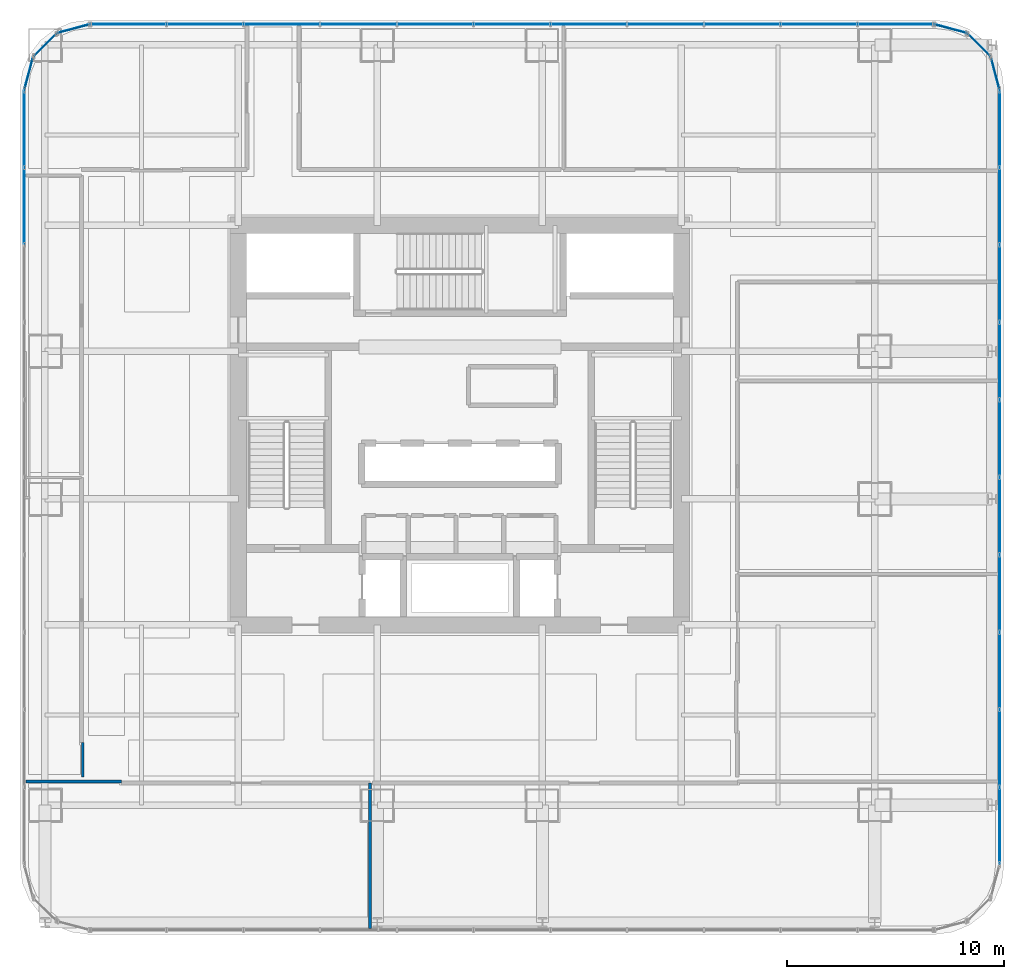
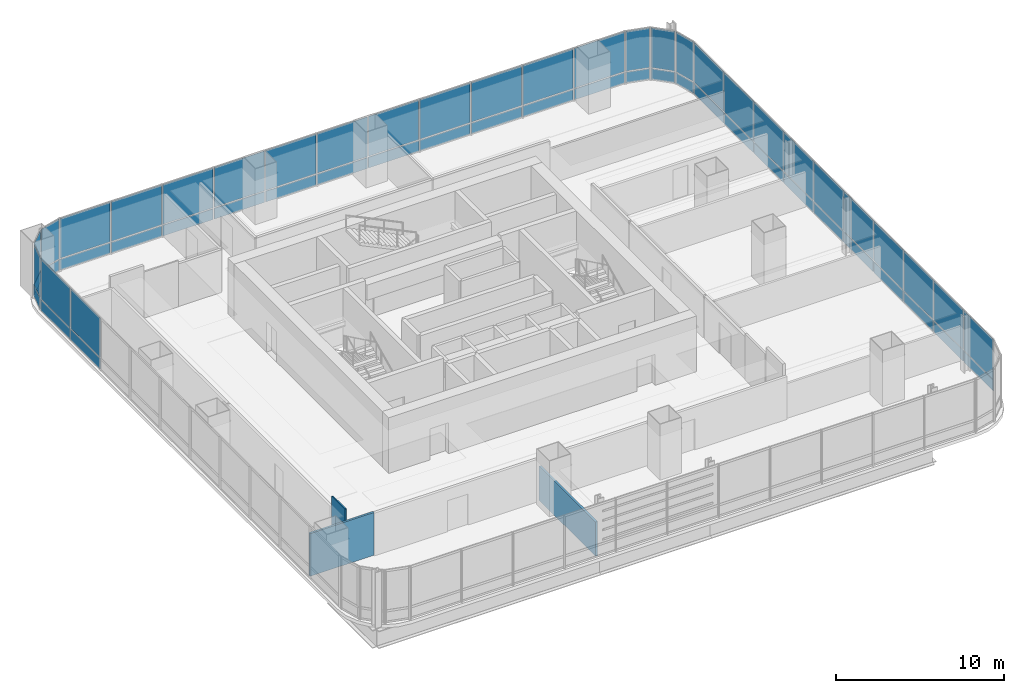
# One storey, part 26 of 35: 58 plates, 3 walls, 9 elements without a shape of their own.
"""IFC4 building model written with IfcOpenShell, lengths in metres."""

from ifc_helpers import new_model, si_unit, direction, frame, frame_2d, origin, origin_2d, place, context, subcontext, project, spatial, rectangle, extrude, material, layer, layer_set, type_object, element, aggregate, save


model = new_model("IFC4")

# Units and contexts
model_context = context("Model", 3, precision=1e-05, world=origin(), true_north=direction((0.0, 1.0)))
body_context = subcontext(model_context, "Body", "Model", "MODEL_VIEW")
ifc_project = project(units=[si_unit("LENGTHUNIT", "METRE"), si_unit("AREAUNIT", "SQUARE_METRE"), si_unit("VOLUMEUNIT", "CUBIC_METRE"), si_unit("PLANEANGLEUNIT", "RADIAN"), si_unit("MASSUNIT", "GRAM", prefix="KILO")], contexts=[model_context])

# Site, building, storey
site_placement = place(None, origin())
site = spatial("IfcSite", under=ifc_project, at=site_placement, CompositionType="ELEMENT")
building_placement = place(site_placement, origin())
building = spatial("IfcBuilding", under=site, at=building_placement, Name="Punatoya Terracotta Tower", CompositionType="ELEMENT")
storey_placement = place(building_placement, frame((0.0, 0.0, 68.699951171875)))
storey = spatial("IfcBuildingStorey", under=building, at=storey_placement, Name="L15", CompositionType="ELEMENT", Elevation=68.699951171875)

# Curtain wall, plates
ifc_material_1 = material(Name="Aluminium 6063-T6 + Double Low-E Glass", Category="aluminium")
curtain_wall_type = type_object("IfcCurtainWallType", Name="CW-M1", PredefinedType="NOTDEFINED", material=ifc_material_1)
curtain_wall_1_placement = place(storey_placement, origin())
curtain_wall_1 = element("IfcCurtainWall", 1, at=curtain_wall_1_placement, inside=storey, type_object=curtain_wall_type, Name="L15 Curtain Wall CW-L15-E05-1", PredefinedType="NOTDEFINED")
ifc_material_2 = material(Name="Double Low-E Clear Vision Glass", Category="glass")
ifc_layer_1 = layer(ifc_material_2, 0.028076171875)
ifc_layer_set_1 = layer_set([ifc_layer_1], Name="Double Low-E Clear Vision Glass")
plate_type_1 = type_object("IfcPlateType", Name="PLT-GLZ-28", PredefinedType="CURTAIN_PANEL", material=ifc_layer_set_1)
plate_1_placement = place(storey_placement, frame((24.85009765625, -18.453125, 0.89013671875), z_axis=(0.0, 0.0, 1.0), x_axis=(0.0, 1.0, 0.0)))
plate_1 = element("IfcPlate", 2, at=plate_1_placement, type_object=plate_type_1, Name="CW-L15-E05-1 Vision Glass Panel 1", PredefinedType="CURTAIN_PANEL", context=body_context, shape_type="SweptSolid", body=[
    extrude(rectangle(XDim=3.482421875, YDim=0.028076171875, at=origin_2d()), origin(), (0.0, 0.0, 1.0), 2.8798828125),
])
plate_2_placement = place(storey_placement, frame((24.85009765625, -14.8857421875, 0.89013671875), z_axis=(0.0, 0.0, 1.0), x_axis=(0.0, 1.0, 0.0)))
plate_2 = element("IfcPlate", 3, at=plate_2_placement, type_object=plate_type_1, Name="CW-L15-E05-1 Vision Glass Panel 2", PredefinedType="CURTAIN_PANEL", context=body_context, shape_type="SweptSolid", body=[
    extrude(rectangle(XDim=3.482421875, YDim=0.028076171875, at=origin_2d()), origin(), (0.0, 0.0, 1.0), 2.8798828125),
])
plate_3_placement = place(storey_placement, frame((24.85009765625, -11.318359375, 0.89013671875), z_axis=(0.0, 0.0, 1.0), x_axis=(0.0, 1.0, 0.0)))
plate_3 = element("IfcPlate", 4, at=plate_3_placement, type_object=plate_type_1, Name="CW-L15-E05-1 Vision Glass Panel 3", PredefinedType="CURTAIN_PANEL", context=body_context, shape_type="SweptSolid", body=[
    extrude(rectangle(XDim=3.482421875, YDim=0.028076171875, at=origin_2d()), origin(), (0.0, 0.0, 1.0), 2.8798828125),
])
plate_4_placement = place(storey_placement, frame((24.85009765625, -7.751220703125, 0.89013671875), z_axis=(0.0, 0.0, 1.0), x_axis=(0.0, 1.0, 0.0)))
plate_4 = element("IfcPlate", 5, at=plate_4_placement, type_object=plate_type_1, Name="CW-L15-E05-1 Vision Glass Panel 4", PredefinedType="CURTAIN_PANEL", context=body_context, shape_type="SweptSolid", body=[
    extrude(rectangle(XDim=3.482421875, YDim=0.028076171875, at=origin_2d()), origin(), (0.0, 0.0, 1.0), 2.8798828125),
])
plate_5_placement = place(storey_placement, frame((24.85009765625, -4.18359375, 0.89013671875), z_axis=(0.0, 0.0, 1.0), x_axis=(0.0, 1.0, 0.0)))
plate_5 = element("IfcPlate", 6, at=plate_5_placement, type_object=plate_type_1, Name="CW-L15-E05-1 Vision Glass Panel 5", PredefinedType="CURTAIN_PANEL", context=body_context, shape_type="SweptSolid", body=[
    extrude(rectangle(XDim=3.482421875, YDim=0.028076171875, at=origin_2d()), origin(), (0.0, 0.0, 1.0), 2.8798828125),
])
plate_6_placement = place(storey_placement, frame((24.85009765625, -0.6162109375, 0.89013671875), z_axis=(0.0, 0.0, 1.0), x_axis=(0.0, 1.0, 0.0)))
plate_6 = element("IfcPlate", 7, at=plate_6_placement, type_object=plate_type_1, Name="CW-L15-E05-1 Vision Glass Panel 6", PredefinedType="CURTAIN_PANEL", context=body_context, shape_type="SweptSolid", body=[
    extrude(rectangle(XDim=3.482421875, YDim=0.028076171875, at=origin_2d()), origin(), (0.0, 0.0, 1.0), 2.8798828125),
])
plate_7_placement = place(storey_placement, frame((24.85009765625, 2.951171875, 0.89013671875), z_axis=(0.0, 0.0, 1.0), x_axis=(0.0, 1.0, 0.0)))
plate_7 = element("IfcPlate", 8, at=plate_7_placement, type_object=plate_type_1, Name="CW-L15-E05-1 Vision Glass Panel 7", PredefinedType="CURTAIN_PANEL", context=body_context, shape_type="SweptSolid", body=[
    extrude(rectangle(XDim=3.482421875, YDim=0.028076171875, at=origin_2d()), origin(), (0.0, 0.0, 1.0), 2.8798828125),
])
plate_8_placement = place(storey_placement, frame((24.85009765625, 6.518310546875, 0.89013671875), z_axis=(0.0, 0.0, 1.0), x_axis=(0.0, 1.0, 0.0)))
plate_8 = element("IfcPlate", 9, at=plate_8_placement, type_object=plate_type_1, Name="CW-L15-E05-1 Vision Glass Panel 8", PredefinedType="CURTAIN_PANEL", context=body_context, shape_type="SweptSolid", body=[
    extrude(rectangle(XDim=3.482421875, YDim=0.028076171875, at=origin_2d()), origin(), (0.0, 0.0, 1.0), 2.8798828125),
])
plate_9_placement = place(storey_placement, frame((24.85009765625, 10.085693359375, 0.89013671875), z_axis=(0.0, 0.0, 1.0), x_axis=(0.0, 1.0, 0.0)))
plate_9 = element("IfcPlate", 10, at=plate_9_placement, type_object=plate_type_1, Name="CW-L15-E05-1 Vision Glass Panel 9", PredefinedType="CURTAIN_PANEL", context=body_context, shape_type="SweptSolid", body=[
    extrude(rectangle(XDim=3.482421875, YDim=0.028076171875, at=origin_2d()), origin(), (0.0, 0.0, 1.0), 2.8798828125),
])
plate_10_placement = place(storey_placement, frame((24.85009765625, 13.6533203125, 0.89013671875), z_axis=(0.0, 0.0, 1.0), x_axis=(0.0, 1.0, 0.0)))
plate_10 = element("IfcPlate", 11, at=plate_10_placement, type_object=plate_type_1, Name="CW-L15-E05-1 Vision Glass Panel 10", PredefinedType="CURTAIN_PANEL", context=body_context, shape_type="SweptSolid", body=[
    extrude(rectangle(XDim=3.482421875, YDim=0.028076171875, at=origin_2d()), origin(), (0.0, 0.0, 1.0), 2.8798828125),
])

# Curtain wall, plate
curtain_wall_2_placement = place(storey_placement, origin())
curtain_wall_2 = element("IfcCurtainWall", 12, at=curtain_wall_2_placement, inside=storey, type_object=curtain_wall_type, Name="L15 Curtain Wall CW-L15-CRN06", PredefinedType="NOTDEFINED")
plate_11_placement = place(storey_placement, frame((24.648193359375, 16.193115234375, 0.89013671875), z_axis=(0.0, 0.0, 1.0), x_axis=(-0.257741620719, 0.966213877436, 0.0)))
plate_11 = element("IfcPlate", 13, at=plate_11_placement, type_object=plate_type_1, Name="CW-L15-CRN06 Vision Glass Panel 1", PredefinedType="CURTAIN_PANEL", context=body_context, shape_type="SweptSolid", body=[
    extrude(rectangle(XDim=1.47998046875, YDim=0.028076171875, at=origin_2d()), origin(), (0.0, 0.0, 1.0), 2.8798828125),
])

curtain_wall_3_placement = place(storey_placement, origin())
curtain_wall_3 = element("IfcCurtainWall", 14, at=curtain_wall_3_placement, inside=storey, type_object=curtain_wall_type, Name="L15 Curtain Wall CW-L15-CRN07", PredefinedType="NOTDEFINED")
plate_12_placement = place(storey_placement, frame((23.89794921875, 17.497802734375, 0.89013671875), z_axis=(0.0, 0.0, 1.0), x_axis=(-0.707106781187, 0.707106781187, 0.0)))
plate_12 = element("IfcPlate", 15, at=plate_12_placement, type_object=plate_type_1, Name="CW-L15-CRN07 Vision Glass Panel 1", PredefinedType="CURTAIN_PANEL", context=body_context, shape_type="SweptSolid", body=[
    extrude(rectangle(XDim=1.467041015625, YDim=0.028076171875, at=origin_2d()), origin(), (0.0, 0.0, 1.0), 2.8798828125),
])

curtain_wall_4_placement = place(storey_placement, origin())
curtain_wall_4 = element("IfcCurtainWall", 16, at=curtain_wall_4_placement, inside=storey, type_object=curtain_wall_type, Name="L15 Curtain Wall CW-L15-CRN08", PredefinedType="NOTDEFINED")
plate_13_placement = place(storey_placement, frame((22.593017578125, 18.248291015625, 0.89013671875), z_axis=(0.0, 0.0, 1.0), x_axis=(-0.966213877436, 0.257741620719, 0.0)))
plate_13 = element("IfcPlate", 17, at=plate_13_placement, type_object=plate_type_1, Name="CW-L15-CRN08 Vision Glass Panel 1", PredefinedType="CURTAIN_PANEL", context=body_context, shape_type="SweptSolid", body=[
    extrude(rectangle(XDim=1.47998046875, YDim=0.028076171875, at=origin_2d()), origin(), (0.0, 0.0, 1.0), 2.8798828125),
])

# Curtain wall, plates
curtain_wall_5_placement = place(storey_placement, origin())
curtain_wall_5 = element("IfcCurtainWall", 18, at=curtain_wall_5_placement, inside=storey, type_object=curtain_wall_type, Name="L15 Curtain Wall CW-L15-N09-1", PredefinedType="NOTDEFINED")
plate_14_placement = place(storey_placement, frame((20.06982421875, 18.449951171875, 0.89013671875), z_axis=(0.0, 0.0, 1.0), x_axis=(-1.0, 0.0, 0.0)))
plate_14 = element("IfcPlate", 19, at=plate_14_placement, type_object=plate_type_1, Name="CW-L15-N09-1 Vision Glass Panel 1", PredefinedType="CURTAIN_PANEL", context=body_context, shape_type="SweptSolid", body=[
    extrude(rectangle(XDim=3.448974609375, YDim=0.028076171875, at=origin_2d()), origin(), (0.0, 0.0, 1.0), 2.8798828125),
])
plate_15_placement = place(storey_placement, frame((16.535888671875, 18.449951171875, 0.89013671875), z_axis=(0.0, 0.0, 1.0), x_axis=(-1.0, 0.0, 0.0)))
plate_15 = element("IfcPlate", 20, at=plate_15_placement, type_object=plate_type_1, Name="CW-L15-N09-1 Vision Glass Panel 2", PredefinedType="CURTAIN_PANEL", context=body_context, shape_type="SweptSolid", body=[
    extrude(rectangle(XDim=3.448974609375, YDim=0.028076171875, at=origin_2d()), origin(), (0.0, 0.0, 1.0), 2.8798828125),
])
plate_16_placement = place(storey_placement, frame((13.001953125, 18.449951171875, 0.89013671875), z_axis=(0.0, 0.0, 1.0), x_axis=(-1.0, 0.0, 0.0)))
plate_16 = element("IfcPlate", 21, at=plate_16_placement, type_object=plate_type_1, Name="CW-L15-N09-1 Vision Glass Panel 3", PredefinedType="CURTAIN_PANEL", context=body_context, shape_type="SweptSolid", body=[
    extrude(rectangle(XDim=3.448974609375, YDim=0.028076171875, at=origin_2d()), origin(), (0.0, 0.0, 1.0), 2.8798828125),
])
plate_17_placement = place(storey_placement, frame((9.468017578125, 18.449951171875, 0.89013671875), z_axis=(0.0, 0.0, 1.0), x_axis=(-1.0, 0.0, 0.0)))
plate_17 = element("IfcPlate", 22, at=plate_17_placement, type_object=plate_type_1, Name="CW-L15-N09-1 Vision Glass Panel 4", PredefinedType="CURTAIN_PANEL", context=body_context, shape_type="SweptSolid", body=[
    extrude(rectangle(XDim=3.448974609375, YDim=0.028076171875, at=origin_2d()), origin(), (0.0, 0.0, 1.0), 2.8798828125),
])
plate_18_placement = place(storey_placement, frame((5.93408203125, 18.449951171875, 0.89013671875), z_axis=(0.0, 0.0, 1.0), x_axis=(-1.0, 0.0, 0.0)))
plate_18 = element("IfcPlate", 23, at=plate_18_placement, type_object=plate_type_1, Name="CW-L15-N09-1 Vision Glass Panel 5", PredefinedType="CURTAIN_PANEL", context=body_context, shape_type="SweptSolid", body=[
    extrude(rectangle(XDim=3.448974609375, YDim=0.028076171875, at=origin_2d()), origin(), (0.0, 0.0, 1.0), 2.8798828125),
])
plate_19_placement = place(storey_placement, frame((2.39990234375, 18.449951171875, 0.89013671875), z_axis=(0.0, 0.0, 1.0), x_axis=(-1.0, 0.0, 0.0)))
plate_19 = element("IfcPlate", 24, at=plate_19_placement, type_object=plate_type_1, Name="CW-L15-N09-1 Vision Glass Panel 6", PredefinedType="CURTAIN_PANEL", context=body_context, shape_type="SweptSolid", body=[
    extrude(rectangle(XDim=3.448974609375, YDim=0.028076171875, at=origin_2d()), origin(), (0.0, 0.0, 1.0), 2.8798828125),
])
plate_20_placement = place(storey_placement, frame((-1.134033203125, 18.449951171875, 0.89013671875), z_axis=(0.0, 0.0, 1.0), x_axis=(-1.0, 0.0, 0.0)))
plate_20 = element("IfcPlate", 25, at=plate_20_placement, type_object=plate_type_1, Name="CW-L15-N09-1 Vision Glass Panel 7", PredefinedType="CURTAIN_PANEL", context=body_context, shape_type="SweptSolid", body=[
    extrude(rectangle(XDim=3.448974609375, YDim=0.028076171875, at=origin_2d()), origin(), (0.0, 0.0, 1.0), 2.8798828125),
])
plate_21_placement = place(storey_placement, frame((-4.66796875, 18.449951171875, 0.89013671875), z_axis=(0.0, 0.0, 1.0), x_axis=(-1.0, 0.0, 0.0)))
plate_21 = element("IfcPlate", 26, at=plate_21_placement, type_object=plate_type_1, Name="CW-L15-N09-1 Vision Glass Panel 8", PredefinedType="CURTAIN_PANEL", context=body_context, shape_type="SweptSolid", body=[
    extrude(rectangle(XDim=3.448974609375, YDim=0.028076171875, at=origin_2d()), origin(), (0.0, 0.0, 1.0), 2.8798828125),
])
plate_22_placement = place(storey_placement, frame((-8.201904296875, 18.449951171875, 0.89013671875), z_axis=(0.0, 0.0, 1.0), x_axis=(-1.0, 0.0, 0.0)))
plate_22 = element("IfcPlate", 27, at=plate_22_placement, type_object=plate_type_1, Name="CW-L15-N09-1 Vision Glass Panel 9", PredefinedType="CURTAIN_PANEL", context=body_context, shape_type="SweptSolid", body=[
    extrude(rectangle(XDim=3.448974609375, YDim=0.028076171875, at=origin_2d()), origin(), (0.0, 0.0, 1.0), 2.8798828125),
])
plate_23_placement = place(storey_placement, frame((-11.73583984375, 18.449951171875, 0.89013671875), z_axis=(0.0, 0.0, 1.0), x_axis=(-1.0, 0.0, 0.0)))
plate_23 = element("IfcPlate", 28, at=plate_23_placement, type_object=plate_type_1, Name="CW-L15-N09-1 Vision Glass Panel 10", PredefinedType="CURTAIN_PANEL", context=body_context, shape_type="SweptSolid", body=[
    extrude(rectangle(XDim=3.448974609375, YDim=0.028076171875, at=origin_2d()), origin(), (0.0, 0.0, 1.0), 2.8798828125),
])
plate_24_placement = place(storey_placement, frame((-15.27001953125, 18.449951171875, 0.89013671875), z_axis=(0.0, 0.0, 1.0), x_axis=(-1.0, 0.0, 0.0)))
plate_24 = element("IfcPlate", 29, at=plate_24_placement, type_object=plate_type_1, Name="CW-L15-N09-1 Vision Glass Panel 11", PredefinedType="CURTAIN_PANEL", context=body_context, shape_type="SweptSolid", body=[
    extrude(rectangle(XDim=3.448974609375, YDim=0.028076171875, at=origin_2d()), origin(), (0.0, 0.0, 1.0), 2.8798828125),
])

# Curtain wall, plate
curtain_wall_6_placement = place(storey_placement, origin())
curtain_wall_6 = element("IfcCurtainWall", 30, at=curtain_wall_6_placement, inside=storey, type_object=curtain_wall_type, Name="L15 Curtain Wall CW-L15-CRN10", PredefinedType="NOTDEFINED")
plate_25_placement = place(storey_placement, frame((-17.79296875, 18.248291015625, 0.89013671875), z_axis=(0.0, 0.0, 1.0), x_axis=(-0.966213877436, -0.257741620719, 0.0)))
plate_25 = element("IfcPlate", 31, at=plate_25_placement, type_object=plate_type_1, Name="CW-L15-CRN10 Vision Glass Panel 1", PredefinedType="CURTAIN_PANEL", context=body_context, shape_type="SweptSolid", body=[
    extrude(rectangle(XDim=1.47998046875, YDim=0.028076171875, at=origin_2d()), origin(), (0.0, 0.0, 1.0), 2.8798828125),
])

curtain_wall_7_placement = place(storey_placement, origin())
curtain_wall_7 = element("IfcCurtainWall", 32, at=curtain_wall_7_placement, inside=storey, type_object=curtain_wall_type, Name="L15 Curtain Wall CW-L15-CRN11", PredefinedType="NOTDEFINED")
plate_26_placement = place(storey_placement, frame((-19.097900390625, 17.497802734375, 0.89013671875), z_axis=(0.0, 0.0, 1.0), x_axis=(-0.707106781187, -0.707106781187, 0.0)))
plate_26 = element("IfcPlate", 33, at=plate_26_placement, type_object=plate_type_1, Name="CW-L15-CRN11 Vision Glass Panel 1", PredefinedType="CURTAIN_PANEL", context=body_context, shape_type="SweptSolid", body=[
    extrude(rectangle(XDim=1.467041015625, YDim=0.028076171875, at=origin_2d()), origin(), (0.0, 0.0, 1.0), 2.8798828125),
])

curtain_wall_8_placement = place(storey_placement, origin())
curtain_wall_8 = element("IfcCurtainWall", 34, at=curtain_wall_8_placement, inside=storey, type_object=curtain_wall_type, Name="L15 Curtain Wall CW-L15-CRN12", PredefinedType="NOTDEFINED")
plate_27_placement = place(storey_placement, frame((-19.848388671875, 16.193115234375, 0.89013671875), z_axis=(0.0, 0.0, 1.0), x_axis=(-0.257741620719, -0.966213877436, 0.0)))
plate_27 = element("IfcPlate", 35, at=plate_27_placement, type_object=plate_type_1, Name="CW-L15-CRN12 Vision Glass Panel 1", PredefinedType="CURTAIN_PANEL", context=body_context, shape_type="SweptSolid", body=[
    extrude(rectangle(XDim=1.47998046875, YDim=0.028076171875, at=origin_2d()), origin(), (0.0, 0.0, 1.0), 2.8798828125),
])

# Curtain wall, plates
curtain_wall_9_placement = place(storey_placement, origin())
curtain_wall_9 = element("IfcCurtainWall", 36, at=curtain_wall_9_placement, inside=storey, type_object=curtain_wall_type, Name="L15 Curtain Wall CW-L15-W13-1", PredefinedType="NOTDEFINED")
plate_28_placement = place(storey_placement, frame((-20.050048828125, 13.6533203125, 0.89013671875), z_axis=(0.0, 0.0, 1.0), x_axis=(0.0, -1.0, 0.0)))
plate_28 = element("IfcPlate", 37, at=plate_28_placement, type_object=plate_type_1, Name="CW-L15-W13-1 Vision Glass Panel 1", PredefinedType="CURTAIN_PANEL", context=body_context, shape_type="SweptSolid", body=[
    extrude(rectangle(XDim=3.482421875, YDim=0.028076171875, at=origin_2d()), origin(), (0.0, 0.0, 1.0), 2.8798828125),
])
plate_29_placement = place(storey_placement, frame((-20.050048828125, 10.085693359375, 0.89013671875), z_axis=(0.0, 0.0, 1.0), x_axis=(0.0, -1.0, 0.0)))
plate_29 = element("IfcPlate", 38, at=plate_29_placement, type_object=plate_type_1, Name="CW-L15-W13-1 Vision Glass Panel 2", PredefinedType="CURTAIN_PANEL", context=body_context, shape_type="SweptSolid", body=[
    extrude(rectangle(XDim=3.482421875, YDim=0.028076171875, at=origin_2d()), origin(), (0.0, 0.0, 1.0), 2.8798828125),
])

# Plate
ifc_material_3 = material(Name="Insulated Terracotta-Backed Spandrel Panel", Category="masonry")
ifc_layer_2 = layer(ifc_material_3, 0.044921875)
ifc_layer_set_2 = layer_set([ifc_layer_2], Name="Insulated Terracotta-Backed Spandrel Panel")
plate_type_2 = type_object("IfcPlateType", Name="PLT-SPN-45", PredefinedType="CURTAIN_PANEL", material=ifc_layer_set_2)
plate_30_placement = place(storey_placement, frame((24.85009765625, -18.453125, 0.0400390625), z_axis=(0.0, 0.0, 1.0), x_axis=(0.0, 1.0, 0.0)))
plate_30 = element("IfcPlate", 39, at=plate_30_placement, type_object=plate_type_2, Name="CW-L15-E05-1 Terracotta Spandrel Panel 1", PredefinedType="CURTAIN_PANEL", context=body_context, shape_type="SweptSolid", body=[
    extrude(rectangle(XDim=3.482421875, YDim=0.044921875, at=origin_2d()), origin(), (0.0, 0.0, 1.0), 0.77490234375),
])

plate_31_placement = place(storey_placement, frame((24.85009765625, -14.8857421875, 0.0400390625), z_axis=(0.0, 0.0, 1.0), x_axis=(0.0, 1.0, 0.0)))
plate_31 = element("IfcPlate", 40, at=plate_31_placement, type_object=plate_type_2, Name="CW-L15-E05-1 Terracotta Spandrel Panel 2", PredefinedType="CURTAIN_PANEL", context=body_context, shape_type="SweptSolid", body=[
    extrude(rectangle(XDim=3.482421875, YDim=0.044921875, at=origin_2d()), origin(), (0.0, 0.0, 1.0), 0.77490234375),
])

plate_32_placement = place(storey_placement, frame((24.85009765625, -11.318359375, 0.0400390625), z_axis=(0.0, 0.0, 1.0), x_axis=(0.0, 1.0, 0.0)))
plate_32 = element("IfcPlate", 41, at=plate_32_placement, type_object=plate_type_2, Name="CW-L15-E05-1 Terracotta Spandrel Panel 3", PredefinedType="CURTAIN_PANEL", context=body_context, shape_type="SweptSolid", body=[
    extrude(rectangle(XDim=3.482421875, YDim=0.044921875, at=origin_2d()), origin(), (0.0, 0.0, 1.0), 0.77490234375),
])

plate_33_placement = place(storey_placement, frame((24.85009765625, -7.751220703125, 0.0400390625), z_axis=(0.0, 0.0, 1.0), x_axis=(0.0, 1.0, 0.0)))
plate_33 = element("IfcPlate", 42, at=plate_33_placement, type_object=plate_type_2, Name="CW-L15-E05-1 Terracotta Spandrel Panel 4", PredefinedType="CURTAIN_PANEL", context=body_context, shape_type="SweptSolid", body=[
    extrude(rectangle(XDim=3.482421875, YDim=0.044921875, at=origin_2d()), origin(), (0.0, 0.0, 1.0), 0.77490234375),
])

plate_34_placement = place(storey_placement, frame((24.85009765625, -4.18359375, 0.0400390625), z_axis=(0.0, 0.0, 1.0), x_axis=(0.0, 1.0, 0.0)))
plate_34 = element("IfcPlate", 43, at=plate_34_placement, type_object=plate_type_2, Name="CW-L15-E05-1 Terracotta Spandrel Panel 5", PredefinedType="CURTAIN_PANEL", context=body_context, shape_type="SweptSolid", body=[
    extrude(rectangle(XDim=3.482421875, YDim=0.044921875, at=origin_2d()), origin(), (0.0, 0.0, 1.0), 0.77490234375),
])

plate_35_placement = place(storey_placement, frame((24.85009765625, -0.6162109375, 0.0400390625), z_axis=(0.0, 0.0, 1.0), x_axis=(0.0, 1.0, 0.0)))
plate_35 = element("IfcPlate", 44, at=plate_35_placement, type_object=plate_type_2, Name="CW-L15-E05-1 Terracotta Spandrel Panel 6", PredefinedType="CURTAIN_PANEL", context=body_context, shape_type="SweptSolid", body=[
    extrude(rectangle(XDim=3.482421875, YDim=0.044921875, at=origin_2d()), origin(), (0.0, 0.0, 1.0), 0.77490234375),
])

plate_36_placement = place(storey_placement, frame((24.85009765625, 2.951171875, 0.0400390625), z_axis=(0.0, 0.0, 1.0), x_axis=(0.0, 1.0, 0.0)))
plate_36 = element("IfcPlate", 45, at=plate_36_placement, type_object=plate_type_2, Name="CW-L15-E05-1 Terracotta Spandrel Panel 7", PredefinedType="CURTAIN_PANEL", context=body_context, shape_type="SweptSolid", body=[
    extrude(rectangle(XDim=3.482421875, YDim=0.044921875, at=origin_2d()), origin(), (0.0, 0.0, 1.0), 0.77490234375),
])

plate_37_placement = place(storey_placement, frame((24.85009765625, 6.518310546875, 0.0400390625), z_axis=(0.0, 0.0, 1.0), x_axis=(0.0, 1.0, 0.0)))
plate_37 = element("IfcPlate", 46, at=plate_37_placement, type_object=plate_type_2, Name="CW-L15-E05-1 Terracotta Spandrel Panel 8", PredefinedType="CURTAIN_PANEL", context=body_context, shape_type="SweptSolid", body=[
    extrude(rectangle(XDim=3.482421875, YDim=0.044921875, at=origin_2d()), origin(), (0.0, 0.0, 1.0), 0.77490234375),
])

plate_38_placement = place(storey_placement, frame((24.85009765625, 10.085693359375, 0.0400390625), z_axis=(0.0, 0.0, 1.0), x_axis=(0.0, 1.0, 0.0)))
plate_38 = element("IfcPlate", 47, at=plate_38_placement, type_object=plate_type_2, Name="CW-L15-E05-1 Terracotta Spandrel Panel 9", PredefinedType="CURTAIN_PANEL", context=body_context, shape_type="SweptSolid", body=[
    extrude(rectangle(XDim=3.482421875, YDim=0.044921875, at=origin_2d()), origin(), (0.0, 0.0, 1.0), 0.77490234375),
])

plate_39_placement = place(storey_placement, frame((24.85009765625, 13.6533203125, 0.0400390625), z_axis=(0.0, 0.0, 1.0), x_axis=(0.0, 1.0, 0.0)))
plate_39 = element("IfcPlate", 48, at=plate_39_placement, type_object=plate_type_2, Name="CW-L15-E05-1 Terracotta Spandrel Panel 10", PredefinedType="CURTAIN_PANEL", context=body_context, shape_type="SweptSolid", body=[
    extrude(rectangle(XDim=3.482421875, YDim=0.044921875, at=origin_2d()), origin(), (0.0, 0.0, 1.0), 0.77490234375),
])

aggregate(curtain_wall_1, [plate_30, plate_1, plate_31, plate_2, plate_32, plate_3, plate_33, plate_4, plate_34, plate_5, plate_35, plate_6, plate_36, plate_7, plate_37, plate_8, plate_38, plate_9, plate_39, plate_10])

plate_40_placement = place(storey_placement, frame((24.648193359375, 16.193115234375, 0.0400390625), z_axis=(0.0, 0.0, 1.0), x_axis=(-0.257741620719, 0.966213877436, 0.0)))
plate_40 = element("IfcPlate", 49, at=plate_40_placement, type_object=plate_type_2, Name="CW-L15-CRN06 Terracotta Spandrel Panel 1", PredefinedType="CURTAIN_PANEL", context=body_context, shape_type="SweptSolid", body=[
    extrude(rectangle(XDim=1.47998046875, YDim=0.044921875, at=origin_2d()), origin(), (0.0, 0.0, 1.0), 0.77490234375),
])

aggregate(curtain_wall_2, [plate_40, plate_11])

plate_41_placement = place(storey_placement, frame((23.89794921875, 17.497802734375, 0.0400390625), z_axis=(0.0, 0.0, 1.0), x_axis=(-0.707106781187, 0.707106781187, 0.0)))
plate_41 = element("IfcPlate", 50, at=plate_41_placement, type_object=plate_type_2, Name="CW-L15-CRN07 Terracotta Spandrel Panel 1", PredefinedType="CURTAIN_PANEL", context=body_context, shape_type="SweptSolid", body=[
    extrude(rectangle(XDim=1.467041015625, YDim=0.044921875, at=origin_2d()), origin(), (0.0, 0.0, 1.0), 0.77490234375),
])

aggregate(curtain_wall_3, [plate_41, plate_12])

plate_42_placement = place(storey_placement, frame((22.593017578125, 18.248291015625, 0.0400390625), z_axis=(0.0, 0.0, 1.0), x_axis=(-0.966213877436, 0.257741620719, 0.0)))
plate_42 = element("IfcPlate", 51, at=plate_42_placement, type_object=plate_type_2, Name="CW-L15-CRN08 Terracotta Spandrel Panel 1", PredefinedType="CURTAIN_PANEL", context=body_context, shape_type="SweptSolid", body=[
    extrude(rectangle(XDim=1.47998046875, YDim=0.044921875, at=origin_2d()), origin(), (0.0, 0.0, 1.0), 0.77490234375),
])

aggregate(curtain_wall_4, [plate_42, plate_13])

plate_43_placement = place(storey_placement, frame((20.06982421875, 18.449951171875, 0.0400390625), z_axis=(0.0, 0.0, 1.0), x_axis=(-1.0, 0.0, 0.0)))
plate_43 = element("IfcPlate", 52, at=plate_43_placement, type_object=plate_type_2, Name="CW-L15-N09-1 Terracotta Spandrel Panel 1", PredefinedType="CURTAIN_PANEL", context=body_context, shape_type="SweptSolid", body=[
    extrude(rectangle(XDim=3.448974609375, YDim=0.044921875, at=origin_2d()), origin(), (0.0, 0.0, 1.0), 0.77490234375),
])

plate_44_placement = place(storey_placement, frame((16.535888671875, 18.449951171875, 0.0400390625), z_axis=(0.0, 0.0, 1.0), x_axis=(-1.0, 0.0, 0.0)))
plate_44 = element("IfcPlate", 53, at=plate_44_placement, type_object=plate_type_2, Name="CW-L15-N09-1 Terracotta Spandrel Panel 2", PredefinedType="CURTAIN_PANEL", context=body_context, shape_type="SweptSolid", body=[
    extrude(rectangle(XDim=3.448974609375, YDim=0.044921875, at=origin_2d()), origin(), (0.0, 0.0, 1.0), 0.77490234375),
])

plate_45_placement = place(storey_placement, frame((13.001953125, 18.449951171875, 0.0400390625), z_axis=(0.0, 0.0, 1.0), x_axis=(-1.0, 0.0, 0.0)))
plate_45 = element("IfcPlate", 54, at=plate_45_placement, type_object=plate_type_2, Name="CW-L15-N09-1 Terracotta Spandrel Panel 3", PredefinedType="CURTAIN_PANEL", context=body_context, shape_type="SweptSolid", body=[
    extrude(rectangle(XDim=3.448974609375, YDim=0.044921875, at=origin_2d()), origin(), (0.0, 0.0, 1.0), 0.77490234375),
])

plate_46_placement = place(storey_placement, frame((9.468017578125, 18.449951171875, 0.0400390625), z_axis=(0.0, 0.0, 1.0), x_axis=(-1.0, 0.0, 0.0)))
plate_46 = element("IfcPlate", 55, at=plate_46_placement, type_object=plate_type_2, Name="CW-L15-N09-1 Terracotta Spandrel Panel 4", PredefinedType="CURTAIN_PANEL", context=body_context, shape_type="SweptSolid", body=[
    extrude(rectangle(XDim=3.448974609375, YDim=0.044921875, at=origin_2d()), origin(), (0.0, 0.0, 1.0), 0.77490234375),
])

plate_47_placement = place(storey_placement, frame((5.93408203125, 18.449951171875, 0.0400390625), z_axis=(0.0, 0.0, 1.0), x_axis=(-1.0, 0.0, 0.0)))
plate_47 = element("IfcPlate", 56, at=plate_47_placement, type_object=plate_type_2, Name="CW-L15-N09-1 Terracotta Spandrel Panel 5", PredefinedType="CURTAIN_PANEL", context=body_context, shape_type="SweptSolid", body=[
    extrude(rectangle(XDim=3.448974609375, YDim=0.044921875, at=origin_2d()), origin(), (0.0, 0.0, 1.0), 0.77490234375),
])

plate_48_placement = place(storey_placement, frame((2.39990234375, 18.449951171875, 0.0400390625), z_axis=(0.0, 0.0, 1.0), x_axis=(-1.0, 0.0, 0.0)))
plate_48 = element("IfcPlate", 57, at=plate_48_placement, type_object=plate_type_2, Name="CW-L15-N09-1 Terracotta Spandrel Panel 6", PredefinedType="CURTAIN_PANEL", context=body_context, shape_type="SweptSolid", body=[
    extrude(rectangle(XDim=3.448974609375, YDim=0.044921875, at=origin_2d()), origin(), (0.0, 0.0, 1.0), 0.77490234375),
])

plate_49_placement = place(storey_placement, frame((-1.134033203125, 18.449951171875, 0.0400390625), z_axis=(0.0, 0.0, 1.0), x_axis=(-1.0, 0.0, 0.0)))
plate_49 = element("IfcPlate", 58, at=plate_49_placement, type_object=plate_type_2, Name="CW-L15-N09-1 Terracotta Spandrel Panel 7", PredefinedType="CURTAIN_PANEL", context=body_context, shape_type="SweptSolid", body=[
    extrude(rectangle(XDim=3.448974609375, YDim=0.044921875, at=origin_2d()), origin(), (0.0, 0.0, 1.0), 0.77490234375),
])

plate_50_placement = place(storey_placement, frame((-4.66796875, 18.449951171875, 0.0400390625), z_axis=(0.0, 0.0, 1.0), x_axis=(-1.0, 0.0, 0.0)))
plate_50 = element("IfcPlate", 59, at=plate_50_placement, type_object=plate_type_2, Name="CW-L15-N09-1 Terracotta Spandrel Panel 8", PredefinedType="CURTAIN_PANEL", context=body_context, shape_type="SweptSolid", body=[
    extrude(rectangle(XDim=3.448974609375, YDim=0.044921875, at=origin_2d()), origin(), (0.0, 0.0, 1.0), 0.77490234375),
])

plate_51_placement = place(storey_placement, frame((-8.201904296875, 18.449951171875, 0.0400390625), z_axis=(0.0, 0.0, 1.0), x_axis=(-1.0, 0.0, 0.0)))
plate_51 = element("IfcPlate", 60, at=plate_51_placement, type_object=plate_type_2, Name="CW-L15-N09-1 Terracotta Spandrel Panel 9", PredefinedType="CURTAIN_PANEL", context=body_context, shape_type="SweptSolid", body=[
    extrude(rectangle(XDim=3.448974609375, YDim=0.044921875, at=origin_2d()), origin(), (0.0, 0.0, 1.0), 0.77490234375),
])

plate_52_placement = place(storey_placement, frame((-11.73583984375, 18.449951171875, 0.0400390625), z_axis=(0.0, 0.0, 1.0), x_axis=(-1.0, 0.0, 0.0)))
plate_52 = element("IfcPlate", 61, at=plate_52_placement, type_object=plate_type_2, Name="CW-L15-N09-1 Terracotta Spandrel Panel 10", PredefinedType="CURTAIN_PANEL", context=body_context, shape_type="SweptSolid", body=[
    extrude(rectangle(XDim=3.448974609375, YDim=0.044921875, at=origin_2d()), origin(), (0.0, 0.0, 1.0), 0.77490234375),
])

plate_53_placement = place(storey_placement, frame((-15.27001953125, 18.449951171875, 0.0400390625), z_axis=(0.0, 0.0, 1.0), x_axis=(-1.0, 0.0, 0.0)))
plate_53 = element("IfcPlate", 62, at=plate_53_placement, type_object=plate_type_2, Name="CW-L15-N09-1 Terracotta Spandrel Panel 11", PredefinedType="CURTAIN_PANEL", context=body_context, shape_type="SweptSolid", body=[
    extrude(rectangle(XDim=3.448974609375, YDim=0.044921875, at=origin_2d()), origin(), (0.0, 0.0, 1.0), 0.77490234375),
])

aggregate(curtain_wall_5, [plate_43, plate_14, plate_44, plate_15, plate_45, plate_16, plate_46, plate_17, plate_47, plate_18, plate_48, plate_19, plate_49, plate_20, plate_50, plate_21, plate_51, plate_22, plate_52, plate_23, plate_53, plate_24])

plate_54_placement = place(storey_placement, frame((-17.79296875, 18.248291015625, 0.0400390625), z_axis=(0.0, 0.0, 1.0), x_axis=(-0.966213877436, -0.257741620719, 0.0)))
plate_54 = element("IfcPlate", 63, at=plate_54_placement, type_object=plate_type_2, Name="CW-L15-CRN10 Terracotta Spandrel Panel 1", PredefinedType="CURTAIN_PANEL", context=body_context, shape_type="SweptSolid", body=[
    extrude(rectangle(XDim=1.47998046875, YDim=0.044921875, at=origin_2d()), origin(), (0.0, 0.0, 1.0), 0.77490234375),
])

aggregate(curtain_wall_6, [plate_54, plate_25])

plate_55_placement = place(storey_placement, frame((-19.097900390625, 17.497802734375, 0.0400390625), z_axis=(0.0, 0.0, 1.0), x_axis=(-0.707106781187, -0.707106781187, 0.0)))
plate_55 = element("IfcPlate", 64, at=plate_55_placement, type_object=plate_type_2, Name="CW-L15-CRN11 Terracotta Spandrel Panel 1", PredefinedType="CURTAIN_PANEL", context=body_context, shape_type="SweptSolid", body=[
    extrude(rectangle(XDim=1.467041015625, YDim=0.044921875, at=origin_2d()), origin(), (0.0, 0.0, 1.0), 0.77490234375),
])

aggregate(curtain_wall_7, [plate_55, plate_26])

plate_56_placement = place(storey_placement, frame((-19.848388671875, 16.193115234375, 0.0400390625), z_axis=(0.0, 0.0, 1.0), x_axis=(-0.257741620719, -0.966213877436, 0.0)))
plate_56 = element("IfcPlate", 65, at=plate_56_placement, type_object=plate_type_2, Name="CW-L15-CRN12 Terracotta Spandrel Panel 1", PredefinedType="CURTAIN_PANEL", context=body_context, shape_type="SweptSolid", body=[
    extrude(rectangle(XDim=1.47998046875, YDim=0.044921875, at=origin_2d()), origin(), (0.0, 0.0, 1.0), 0.77490234375),
])

aggregate(curtain_wall_8, [plate_56, plate_27])

plate_57_placement = place(storey_placement, frame((-20.050048828125, 13.6533203125, 0.0400390625), z_axis=(0.0, 0.0, 1.0), x_axis=(0.0, -1.0, 0.0)))
plate_57 = element("IfcPlate", 66, at=plate_57_placement, type_object=plate_type_2, Name="CW-L15-W13-1 Terracotta Spandrel Panel 1", PredefinedType="CURTAIN_PANEL", context=body_context, shape_type="SweptSolid", body=[
    extrude(rectangle(XDim=3.482421875, YDim=0.044921875, at=origin_2d()), origin(), (0.0, 0.0, 1.0), 0.77490234375),
])

plate_58_placement = place(storey_placement, frame((-20.050048828125, 10.085693359375, 0.0400390625), z_axis=(0.0, 0.0, 1.0), x_axis=(0.0, -1.0, 0.0)))
plate_58 = element("IfcPlate", 67, at=plate_58_placement, type_object=plate_type_2, Name="CW-L15-W13-1 Terracotta Spandrel Panel 2", PredefinedType="CURTAIN_PANEL", context=body_context, shape_type="SweptSolid", body=[
    extrude(rectangle(XDim=3.482421875, YDim=0.044921875, at=origin_2d()), origin(), (0.0, 0.0, 1.0), 0.77490234375),
])

aggregate(curtain_wall_9, [plate_57, plate_28, plate_58, plate_29])

# Walls
ifc_material_4 = material(Name="Aluminium Framed Acoustic Glass Partition", Category="aluminium")
ifc_layer_3 = layer(ifc_material_4, 0.10009765625)
ifc_layer_set_3 = layer_set([ifc_layer_3], Name="Aluminium Framed Acoustic Glass Partition")
wall_type_1 = type_object("IfcWallType", Name="WL-GLZ-100", PredefinedType="PARTITIONING", material=ifc_layer_set_3)
wall_1_placement = place(storey_placement, frame((-17.360107421875, -14.6201171875, 0.0), z_axis=(0.0, 0.0, 1.0), x_axis=(0.0, -1.0, 0.0)))
element("IfcWall", 68, at=wall_1_placement, inside=storey, type_object=wall_type_1, Name="L15 Open-Plan Executive Briefing Room Partition 25", PredefinedType="PARTITIONING", context=body_context, shape_type="SweptSolid", body=[
    extrude(rectangle(XDim=1.56982421875, YDim=0.10009765625, at=frame_2d((0.784912109375, 0.0))), origin(), (0.0, 0.0, 1.0), 3.81005859375),
])
ifc_material_5 = material(Name="Acoustic Gypsum + Steel Stud", Category="steel")
ifc_layer_4 = layer(ifc_material_5, 0.139892578125)
ifc_layer_set_4 = layer_set([ifc_layer_4], Name="Acoustic Gypsum + Steel Stud")
wall_type_2 = type_object("IfcWallType", Name="WL-OFF-140", PredefinedType="PARTITIONING", material=ifc_layer_set_4)
wall_2_placement = place(storey_placement, frame((-19.969970703125, -16.409912109375, 0.0), z_axis=(0.0, 0.0, 1.0), x_axis=(1.0, 0.0, 0.0)))
element("IfcWall", 69, at=wall_2_placement, inside=storey, type_object=wall_type_2, Name="L15 Open-Plan Plenary Seminar Room Partition 14", PredefinedType="PARTITIONING", context=body_context, shape_type="SweptSolid", body=[
    extrude(rectangle(XDim=4.39990234375, YDim=0.139892578125, at=frame_2d((2.199951171875, 0.0))), origin(), (0.0, 0.0, 1.0), 3.10400390625),
])
wall_3_placement = place(storey_placement, frame((-4.14208984375, -16.469970703125, 0.0), z_axis=(0.0, 0.0, 1.0), x_axis=(0.0, -1.0, 0.0)))
element("IfcWall", 70, at=wall_3_placement, inside=storey, type_object=wall_type_2, Name="L15 Open-Plan Plenary Seminar Room Partition 16", PredefinedType="PARTITIONING", context=body_context, shape_type="SweptSolid", body=[
    extrude(rectangle(XDim=6.699951171875, YDim=0.139892578125, at=frame_2d((3.35009765625, 0.0))), origin(), (0.0, 0.0, 1.0), 2.484130859375),
])

save(model, "model.ifc")
